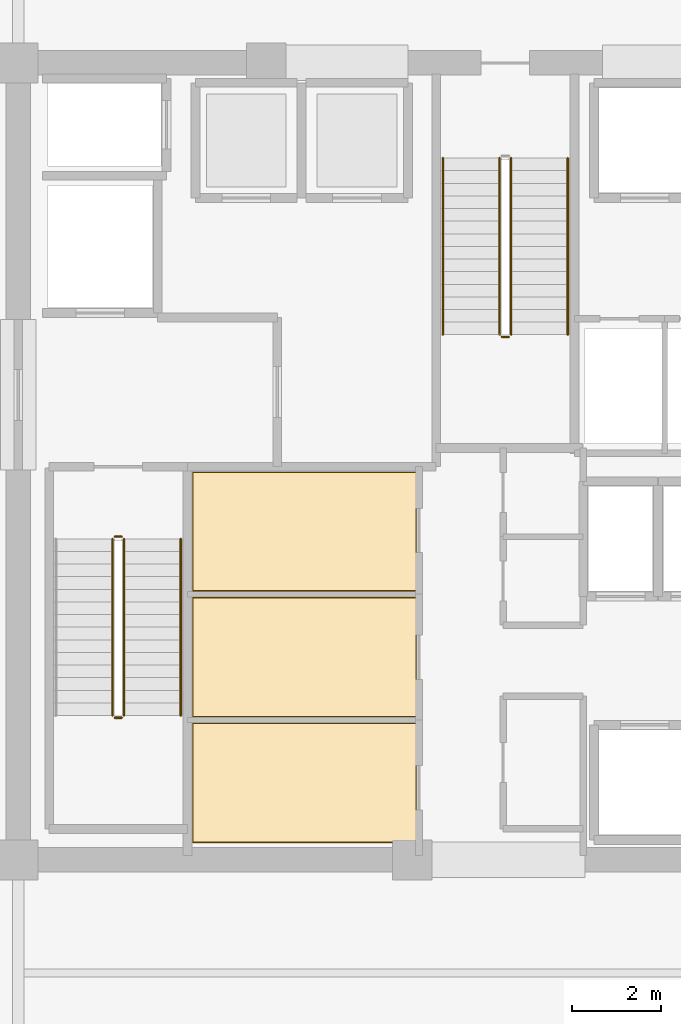
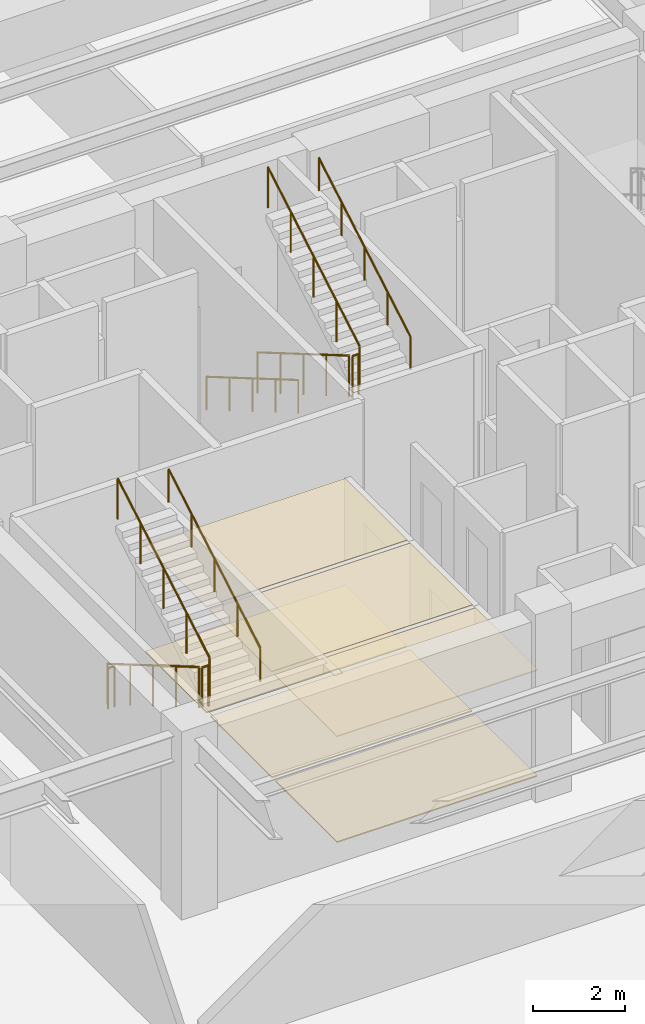
# One storey, part 21 of 25: 10 railings, 6 coverings.
"""IFC4 building model written with IfcOpenShell, lengths in metres."""

import ifcopenshell
import ifcopenshell.guid

model = None  # the IFC model being written
_history = None  # IfcOwnerHistory: only IFC2X3 demands one
_inside = {}  # id of a spatial element -> (the spatial element, [elements in it])
_under = {}  # id of a project, library or spatial element -> (it, [spatial elements below it])
_declared = {}  # id of a project -> (the project, [libraries it declares])
_typed = {}  # id of a type object -> (the type object, [elements of that type])
_made_of = {}  # id of a material, layer set ... -> (it, [elements and type objects made of it])


def new_model(schema):
    """Start an empty IFC model of exactly this schema.

    Asked for "IFC4X3", IfcOpenShell would pick the latest addendum, in which some entities
    have other attributes; the version numbers below select the first issue.
    IFC2X3 requires an IfcOwnerHistory on every rooted entity: one is made here for all.
    """
    global model, _history
    if schema == "IFC4X3":
        model = ifcopenshell.file(schema_version=(4, 3, 0, 0))
    else:
        model = ifcopenshell.file(schema=schema)
    _inside.clear()
    _under.clear()
    _declared.clear()
    _typed.clear()
    _made_of.clear()
    _history = None
    if model.schema == "IFC2X3":
        org = make("IfcOrganization", Name="unknown")
        user = make(
            "IfcPersonAndOrganization",
            ThePerson=make("IfcPerson", FamilyName="unknown"),
            TheOrganization=org,
        )
        app = make(
            "IfcApplication",
            ApplicationDeveloper=org,
            Version="unknown",
            ApplicationFullName="unknown",
            ApplicationIdentifier="unknown",
        )
        _history = make(
            "IfcOwnerHistory",
            OwningUser=user,
            OwningApplication=app,
            ChangeAction="ADDED",
            CreationDate=0,
        )
    return model


def make(cls, **values):
    """One entity of the class cls with the attributes given. An attribute that is None is left unset."""
    return model.create_entity(
        cls, **{name: value for name, value in values.items() if value is not None}
    )


def rooted(cls, **values):
    """An entity with a GlobalId (a new one), such as an element, a storey or a relation."""
    return make(cls, GlobalId=ifcopenshell.guid.new(), OwnerHistory=_history, **values)


def si_unit(unit_type, name, prefix=None):
    """IfcSIUnit, for example si_unit("LENGTHUNIT", "METRE", prefix="MILLI")."""
    return make("IfcSIUnit", UnitType=unit_type, Prefix=prefix, Name=name)


def assignment(units):
    """IfcUnitAssignment: the units of a project."""
    return None if units is None else make("IfcUnitAssignment", Units=units)


def point(xyz):
    """IfcCartesianPoint."""
    return None if xyz is None else make("IfcCartesianPoint", Coordinates=xyz)


def direction(xyz):
    """IfcDirection."""
    return None if xyz is None else make("IfcDirection", DirectionRatios=xyz)


def frame(location, z_axis=None, x_axis=None):
    """IfcAxis2Placement3D, a coordinate frame: its origin and axes. An axis left out is left unset."""
    return make(
        "IfcAxis2Placement3D",
        Location=point(location),
        Axis=direction(z_axis),
        RefDirection=direction(x_axis),
    )


def frame_2d(location, x_axis=None):
    """IfcAxis2Placement2D, a coordinate frame in the plane: its origin and x axis."""
    return make(
        "IfcAxis2Placement2D", Location=point(location), RefDirection=direction(x_axis)
    )


def origin():
    """The frame at (0, 0, 0) with its axes left unset."""
    return frame((0.0, 0.0, 0.0))


def origin_2d():
    """The frame at (0, 0) in the plane with its x axis left unset."""
    return frame_2d((0.0, 0.0))


def place(relative_to, where):
    """IfcLocalPlacement: puts the frame where relative to a parent placement (None: the world)."""
    return make(
        "IfcLocalPlacement", PlacementRelTo=relative_to, RelativePlacement=where
    )


def context(
    kind, dimensions, precision=None, world=None, true_north=None, identifier=None
):
    """IfcGeometricRepresentationContext, for example the 3D "Model" context."""
    return make(
        "IfcGeometricRepresentationContext",
        ContextIdentifier=identifier,
        ContextType=kind,
        CoordinateSpaceDimension=dimensions,
        Precision=precision,
        WorldCoordinateSystem=world,
        TrueNorth=true_north,
    )


def subcontext(parent, identifier, kind, view, scale=None):
    """IfcGeometricRepresentationSubContext, for example "Body" below "Model"."""
    return make(
        "IfcGeometricRepresentationSubContext",
        ContextIdentifier=identifier,
        ContextType=kind,
        ParentContext=parent,
        TargetScale=scale,
        TargetView=view,
    )


def project(units=None, contexts=None):
    """IfcProject with its units and contexts."""
    return rooted(
        "IfcProject",
        Name="project",
        RepresentationContexts=contexts,
        UnitsInContext=assignment(units),
    )


def spatial(cls, under=None, at=None, **own):
    """A site, building, storey or space (cls), placed at a placement, below another one or the project."""
    s = rooted(cls, ObjectPlacement=at, **own)
    if under is not None:
        _under.setdefault(under.id(), (under, []))[1].append(s)
    return s


def polyline(points):
    """IfcPolyline through the points."""
    return make("IfcPolyline", Points=[point(p) for p in points])


def profile(cls, at=None, kind="AREA", **sizes):
    """A parametric profile (cls). Its sizes go by their IFC names, for example OverallWidth=200.0."""
    return make(cls, ProfileType=kind, Position=at, **sizes)


def circle(**sizes):
    """IfcCircleProfileDef."""
    return profile("IfcCircleProfileDef", **sizes)


def outline(outer, holes=None, kind="AREA"):
    """IfcArbitraryClosedProfileDef: a profile drawn as a closed curve; with holes, ...WithVoids."""
    if holes is None:
        return make("IfcArbitraryClosedProfileDef", ProfileType=kind, OuterCurve=outer)
    return make(
        "IfcArbitraryProfileDefWithVoids",
        ProfileType=kind,
        OuterCurve=outer,
        InnerCurves=holes,
    )


def extrude(swept, where, along, depth):
    """IfcExtrudedAreaSolid: the profile swept, set in the frame where, extruded along a direction by depth."""
    return make(
        "IfcExtrudedAreaSolid",
        SweptArea=swept,
        Position=where,
        ExtrudedDirection=direction(along),
        Depth=depth,
    )


def shape(context_of_items, identifier, shape_type, items):
    """IfcShapeRepresentation: the items that make up one representation, for example the "Body"."""
    return make(
        "IfcShapeRepresentation",
        ContextOfItems=context_of_items,
        RepresentationIdentifier=identifier,
        RepresentationType=shape_type,
        Items=items,
    )


def material(Name=None, Category=None):
    """IfcMaterial."""
    return make("IfcMaterial", Name=Name, Category=Category)


def layer(
    of_material, thickness, ventilated=None, Name=None, Category=None, Priority=None
):
    """IfcMaterialLayer: one layer of a wall or slab, of a material (None: an air gap)."""
    return make(
        "IfcMaterialLayer",
        Material=of_material,
        LayerThickness=thickness,
        IsVentilated=ventilated,
        Name=Name,
        Category=Category,
        Priority=Priority,
    )


def layer_set(layers, Name=None):
    """IfcMaterialLayerSet."""
    return make("IfcMaterialLayerSet", MaterialLayers=layers, LayerSetName=Name)


def made_of(thing, what):
    """Note that an element or type object is made of a material, layer set ...; save() writes the relation."""
    if what is not None:
        _made_of.setdefault(what.id(), (what, []))[1].append(thing)
    return thing


def type_object(cls, material=None, **own):
    """A type object (cls), such as IfcWallType, which elements share."""
    return made_of(rooted(cls, **own), material)


def element(
    cls,
    number,
    at=None,
    inside=None,
    cuts=None,
    type_object=None,
    material=None,
    context=None,
    identifier="Body",
    shape_type=None,
    held_by="IfcProductDefinitionShape",
    body=None,
    shapes=None,
    **own,
):
    """One element of the class cls, such as IfcWall. Its Tag is "e" and its number.

    at: its placement. inside: the storey or other place that contains it. cuts: it is an
    opening in that element (IfcRelVoidsElement). A single representation is given by context,
    identifier, shape_type and body (its items); several are given by shapes. held_by: the class
    of the entity that holds the representations. save() writes the other relations.
    """
    e = rooted(cls, Tag="e%d" % number, ObjectPlacement=at, **own)
    if body is not None:
        shapes = [shape(context, identifier, shape_type, body)]
    if shapes is not None:
        e.Representation = make(held_by, Representations=shapes)
    if inside is not None:
        _inside.setdefault(inside.id(), (inside, []))[1].append(e)
    if cuts is not None:
        rooted(
            "IfcRelVoidsElement", RelatingBuildingElement=cuts, RelatedOpeningElement=e
        )
    if type_object is not None:
        _typed.setdefault(type_object.id(), (type_object, []))[1].append(e)
    return made_of(e, material)


def aggregate(whole, parts):
    """IfcRelAggregates: a whole, such as a stair, and the parts it consists of."""
    return rooted("IfcRelAggregates", RelatingObject=whole, RelatedObjects=parts)


def save(model, path):
    """Write the relations noted so far, then the file.

    IfcRelAggregates (storeys below a building ...), IfcRelContainedInSpatialStructure (elements
    in a storey), IfcRelDefinesByType, IfcRelAssociatesMaterial and IfcRelDeclares: one each for
    every whole, place, type object, material and project.
    """
    for whole, parts in _under.values():
        aggregate(whole, parts)
    for where, things in _inside.values():
        rooted(
            "IfcRelContainedInSpatialStructure",
            RelatedElements=things,
            RelatingStructure=where,
        )
    for kind, things in _typed.values():
        rooted("IfcRelDefinesByType", RelatedObjects=things, RelatingType=kind)
    for what, things in _made_of.values():
        rooted("IfcRelAssociatesMaterial", RelatedObjects=things, RelatingMaterial=what)
    for by, libraries in _declared.values():
        rooted("IfcRelDeclares", RelatingContext=by, RelatedDefinitions=libraries)
    model.write(path)


model = new_model("IFC4")

# Units and contexts
model_context = context("Model", 3, precision=1e-05, world=origin(), true_north=direction((0.0, 1.0)))
body_context = subcontext(model_context, "Body", "Model", "MODEL_VIEW")
ifc_project = project(units=[si_unit("LENGTHUNIT", "METRE"), si_unit("AREAUNIT", "SQUARE_METRE"), si_unit("VOLUMEUNIT", "CUBIC_METRE"), si_unit("PLANEANGLEUNIT", "RADIAN"), si_unit("MASSUNIT", "GRAM", prefix="KILO")], contexts=[model_context])

# Site, building, storey
site_placement = place(None, origin())
site = spatial("IfcSite", under=ifc_project, at=site_placement, CompositionType="ELEMENT")
building_placement = place(site_placement, origin())
building = spatial("IfcBuilding", under=site, at=building_placement, Name="Kovane Verandah Tower", CompositionType="ELEMENT")
storey_placement = place(building_placement, frame((0.0, 0.0, 233.199951171875)))
storey = spatial("IfcBuildingStorey", under=building, at=storey_placement, Name="L54", CompositionType="ELEMENT", Elevation=233.199951171875)

# Coverings
ifc_material_1 = material(Name="Perforated Acoustic Mineral-Fibre Ceiling Tile", Category="gypsum")
ifc_layer_1 = layer(ifc_material_1, 0.02490234375)
ifc_layer_set_1 = layer_set([ifc_layer_1], Name="Perforated Acoustic Mineral-Fibre Ceiling Tile")
covering_type_1 = type_object("IfcCoveringType", Name="CV-CEIL-25", PredefinedType="CEILING", material=ifc_layer_set_1)
covering_1_placement = place(storey_placement, frame((0.0, 0.0, 2.824951171875)))
element("IfcCovering", 1, at=covering_1_placement, inside=storey, type_object=covering_type_1, Name="L54 Project Archive Room Acoustic Ceiling", PredefinedType="CEILING", context=body_context, shape_type="SweptSolid", body=[
    extrude(outline(polyline([(32.93505859375, 18.885009765625), (37.9951171875, 18.885009765625), (37.9951171875, 21.594970703125), (32.93505859375, 21.594970703125), (32.93505859375, 18.885009765625)])), origin(), (0.0, 0.0, 1.0), 0.025146484375),
])
covering_2_placement = place(storey_placement, frame((0.0, 0.0, 2.824951171875)))
element("IfcCovering", 2, at=covering_2_placement, inside=storey, type_object=covering_type_1, Name="L54 First Aid and Wellness Room Acoustic Ceiling", PredefinedType="CEILING", context=body_context, shape_type="SweptSolid", body=[
    extrude(outline(polyline([(32.93505859375, 21.72509765625), (37.9951171875, 21.72509765625), (37.9951171875, 24.43505859375), (32.93505859375, 24.43505859375), (32.93505859375, 21.72509765625)])), origin(), (0.0, 0.0, 1.0), 0.025146484375),
])
covering_3_placement = place(storey_placement, frame((0.0, 0.0, 2.824951171875)))
element("IfcCovering", 3, at=covering_3_placement, inside=storey, type_object=covering_type_1, Name="L54 Tea and Copy Hub Acoustic Ceiling", PredefinedType="CEILING", context=body_context, shape_type="SweptSolid", body=[
    extrude(outline(polyline([(32.93505859375, 24.56494140625), (37.9951171875, 24.56494140625), (37.9951171875, 27.264892578125), (32.93505859375, 27.264892578125), (32.93505859375, 24.56494140625)])), origin(), (0.0, 0.0, 1.0), 0.025146484375),
])
ifc_material_2 = material(Name="Polished Terrazzo and Raised-Access Carpet Tile Finish", Category="concrete")
ifc_layer_2 = layer(ifc_material_2, 0.030029296875)
ifc_layer_set_2 = layer_set([ifc_layer_2], Name="Polished Terrazzo and Raised-Access Carpet Tile Finish")
covering_type_2 = type_object("IfcCoveringType", Name="CV-FLOR-30", PredefinedType="FLOORING", material=ifc_layer_set_2)
covering_4_placement = place(storey_placement, origin())
element("IfcCovering", 4, at=covering_4_placement, inside=storey, type_object=covering_type_2, Name="L54 Project Archive Room Floor Finish", PredefinedType="FLOORING", context=body_context, shape_type="SweptSolid", body=[
    extrude(outline(polyline([(32.949951171875, 18.89990234375), (37.97998046875, 18.89990234375), (37.97998046875, 21.580078125), (32.949951171875, 21.580078125), (32.949951171875, 18.89990234375)])), origin(), (0.0, 0.0, 1.0), 0.030029296875),
])
covering_5_placement = place(storey_placement, origin())
element("IfcCovering", 5, at=covering_5_placement, inside=storey, type_object=covering_type_2, Name="L54 First Aid and Wellness Room Floor Finish", PredefinedType="FLOORING", context=body_context, shape_type="SweptSolid", body=[
    extrude(outline(polyline([(32.949951171875, 21.739990234375), (37.97998046875, 21.739990234375), (37.97998046875, 24.419921875), (32.949951171875, 24.419921875), (32.949951171875, 21.739990234375)])), origin(), (0.0, 0.0, 1.0), 0.030029296875),
])
covering_6_placement = place(storey_placement, origin())
element("IfcCovering", 6, at=covering_6_placement, inside=storey, type_object=covering_type_2, Name="L54 Tea and Copy Hub Floor Finish", PredefinedType="FLOORING", context=body_context, shape_type="SweptSolid", body=[
    extrude(outline(polyline([(32.949951171875, 24.580078125), (37.97998046875, 24.580078125), (37.97998046875, 27.25), (32.949951171875, 27.25), (32.949951171875, 24.580078125)])), origin(), (0.0, 0.0, 1.0), 0.030029296875),
])

# Railings
ifc_material_3 = material(Name="Brushed Stainless Steel Handrail", Category="steel")
railing_type_1 = type_object("IfcRailingType", Name="RL-HAND-920", PredefinedType="HANDRAIL", material=ifc_material_3)
railing_1_placement = place(storey_placement, frame((32.669921875, 21.760009765625, 2.666748046875)))
element("IfcRailing", 7, at=railing_1_placement, inside=storey, type_object=railing_type_1, Name="L54 ST-01 stair handrail 2", PredefinedType="HANDRAIL", context=body_context, shape_type="SweptSolid", body=[
    extrude(circle(Radius=0.02392578125, at=origin_2d()), frame((0.0, 0.0, 0.8759765625), z_axis=(0.0, 0.863236243904, 0.504800145811), x_axis=(-1.0, 0.0, 0.0)), (0.0, 0.0, 1.0), 4.6220703125),
    extrude(circle(Radius=0.02099609375, at=origin_2d()), origin(), (0.0, 0.0, 1.0), 0.851806640625),
    extrude(circle(Radius=0.02099609375, at=origin_2d()), frame((0.0, 0.99755859375, 0.583251953125)), (0.0, 0.0, 1.0), 0.851806640625),
    extrude(circle(Radius=0.02099609375, at=origin_2d()), frame((0.0, 1.9951171875, 1.16650390625)), (0.0, 0.0, 1.0), 0.851806640625),
    extrude(circle(Radius=0.02099609375, at=origin_2d()), frame((0.0, 2.992431640625, 1.75)), (0.0, 0.0, 1.0), 0.851806640625),
    extrude(circle(Radius=0.02099609375, at=origin_2d()), frame((0.0, 3.989990234375, 2.333251953125)), (0.0, 0.0, 1.0), 0.851806640625),
])
railing_2_placement = place(storey_placement, frame((38.590087890625, 34.35009765625, 0.166748046875)))
element("IfcRailing", 8, at=railing_2_placement, inside=storey, type_object=railing_type_1, Name="L54 ST-03 stair handrail 1", PredefinedType="HANDRAIL", context=body_context, shape_type="SweptSolid", body=[
    extrude(circle(Radius=0.02392578125, at=origin_2d()), frame((0.0, 0.0, 0.8759765625), z_axis=(0.0, -0.863236243904, 0.504800145811), x_axis=(1.0, 0.0, 0.0)), (0.0, 0.0, 1.0), 4.6220703125),
    extrude(circle(Radius=0.02099609375, at=origin_2d()), origin(), (0.0, 0.0, 1.0), 0.851806640625),
    extrude(circle(Radius=0.02099609375, at=origin_2d()), frame((0.0, -0.99755859375, 0.583251953125)), (0.0, 0.0, 1.0), 0.851806640625),
    extrude(circle(Radius=0.02099609375, at=origin_2d()), frame((0.0, -1.9951171875, 1.16650390625)), (0.0, 0.0, 1.0), 0.851806640625),
    extrude(circle(Radius=0.02099609375, at=origin_2d()), frame((0.0, -2.992431640625, 1.75)), (0.0, 0.0, 1.0), 0.851806640625),
    extrude(circle(Radius=0.02099609375, at=origin_2d()), frame((0.0, -3.989990234375, 2.333251953125)), (0.0, 0.0, 1.0), 0.851806640625),
])
railing_3_placement = place(storey_placement, frame((41.409912109375, 30.360107421875, 2.666748046875)))
element("IfcRailing", 9, at=railing_3_placement, inside=storey, type_object=railing_type_1, Name="L54 ST-03 stair handrail 2", PredefinedType="HANDRAIL", context=body_context, shape_type="SweptSolid", body=[
    extrude(circle(Radius=0.02392578125, at=origin_2d()), frame((0.0, 0.0, 0.8759765625), z_axis=(0.0, 0.863236243904, 0.504800145811), x_axis=(-1.0, 0.0, 0.0)), (0.0, 0.0, 1.0), 4.6220703125),
    extrude(circle(Radius=0.02099609375, at=origin_2d()), origin(), (0.0, 0.0, 1.0), 0.851806640625),
    extrude(circle(Radius=0.02099609375, at=origin_2d()), frame((0.0, 0.99755859375, 0.583251953125)), (0.0, 0.0, 1.0), 0.851806640625),
    extrude(circle(Radius=0.02099609375, at=origin_2d()), frame((0.0, 1.9951171875, 1.16650390625)), (0.0, 0.0, 1.0), 0.851806640625),
    extrude(circle(Radius=0.02099609375, at=origin_2d()), frame((0.0, 2.992431640625, 1.75)), (0.0, 0.0, 1.0), 0.851806640625),
    extrude(circle(Radius=0.02099609375, at=origin_2d()), frame((0.0, 3.989990234375, 2.333251953125)), (0.0, 0.0, 1.0), 0.851806640625),
])
ifc_material_4 = material(Name="Painted Steel Stairwell Guardrail", Category="steel")
railing_type_2 = type_object("IfcRailingType", Name="RL-STGUARD-1120", PredefinedType="GUARDRAIL", material=ifc_material_4)
railing_4_placement = place(storey_placement, frame((31.1298828125, 25.75, 0.166748046875)))
element("IfcRailing", 10, at=railing_4_placement, inside=storey, type_object=railing_type_2, Name="L54 ST-01 stair guard 1", PredefinedType="GUARDRAIL", context=body_context, shape_type="SweptSolid", body=[
    extrude(circle(Radius=0.02392578125, at=origin_2d()), frame((0.0, 0.0, 1.076171875), z_axis=(0.0, -0.863236243904, 0.504800145811), x_axis=(1.0, 0.0, 0.0)), (0.0, 0.0, 1.0), 4.6220703125),
    extrude(circle(Radius=0.02099609375, at=origin_2d()), origin(), (0.0, 0.0, 1.0), 1.052001953125),
    extrude(circle(Radius=0.02099609375, at=origin_2d()), frame((0.0, -0.99755859375, 0.583251953125)), (0.0, 0.0, 1.0), 1.052001953125),
    extrude(circle(Radius=0.02099609375, at=origin_2d()), frame((0.0, -1.9951171875, 1.16650390625)), (0.0, 0.0, 1.0), 1.052001953125),
    extrude(circle(Radius=0.02099609375, at=origin_2d()), frame((0.0, -2.992431640625, 1.75)), (0.0, 0.0, 1.0), 1.052001953125),
    extrude(circle(Radius=0.02099609375, at=origin_2d()), frame((0.0, -3.989990234375, 2.333251953125)), (0.0, 0.0, 1.0), 1.052001953125),
])
railing_5_placement = place(storey_placement, frame((31.179931640625, 21.7099609375, 2.5)))
element("IfcRailing", 11, at=railing_5_placement, inside=storey, type_object=railing_type_2, Name="L54 ST-01 stair guard 2", PredefinedType="GUARDRAIL", context=body_context, shape_type="SweptSolid", body=[
    extrude(circle(Radius=0.02392578125, at=origin_2d()), frame((0.0, 0.0, 1.076171875), z_axis=(1.0, 0.0, 0.0), x_axis=(0.0, 1.0, 0.0)), (0.0, 0.0, 1.0), 0.16015625),
    extrude(circle(Radius=0.02099609375, at=origin_2d()), origin(), (0.0, 0.0, 1.0), 1.052001953125),
    extrude(circle(Radius=0.02099609375, at=origin_2d()), frame((0.16015625, 0.0, 0.0)), (0.0, 0.0, 1.0), 1.052001953125),
])
railing_6_placement = place(storey_placement, frame((31.389892578125, 21.760009765625, 2.666748046875)))
element("IfcRailing", 12, at=railing_6_placement, inside=storey, type_object=railing_type_2, Name="L54 ST-01 stair guard 3", PredefinedType="GUARDRAIL", context=body_context, shape_type="SweptSolid", body=[
    extrude(circle(Radius=0.02392578125, at=origin_2d()), frame((0.0, 0.0, 1.076171875), z_axis=(0.0, 0.863236243904, 0.504800145811), x_axis=(-1.0, 0.0, 0.0)), (0.0, 0.0, 1.0), 4.6220703125),
    extrude(circle(Radius=0.02099609375, at=origin_2d()), origin(), (0.0, 0.0, 1.0), 1.052001953125),
    extrude(circle(Radius=0.02099609375, at=origin_2d()), frame((0.0, 0.99755859375, 0.583251953125)), (0.0, 0.0, 1.0), 1.052001953125),
    extrude(circle(Radius=0.02099609375, at=origin_2d()), frame((0.0, 1.9951171875, 1.16650390625)), (0.0, 0.0, 1.0), 1.052001953125),
    extrude(circle(Radius=0.02099609375, at=origin_2d()), frame((0.0, 2.992431640625, 1.75)), (0.0, 0.0, 1.0), 1.052001953125),
    extrude(circle(Radius=0.02099609375, at=origin_2d()), frame((0.0, 3.989990234375, 2.333251953125)), (0.0, 0.0, 1.0), 1.052001953125),
])
railing_7_placement = place(storey_placement, frame((31.179931640625, 25.800048828125, 0.0)))
element("IfcRailing", 13, at=railing_7_placement, inside=storey, type_object=railing_type_2, Name="L54 ST-01 stair guard 4", PredefinedType="GUARDRAIL", context=body_context, shape_type="SweptSolid", body=[
    extrude(circle(Radius=0.02392578125, at=origin_2d()), frame((0.0, 0.0, 1.076171875), z_axis=(1.0, 0.0, 0.0), x_axis=(0.0, 1.0, 0.0)), (0.0, 0.0, 1.0), 0.16015625),
    extrude(circle(Radius=0.02099609375, at=origin_2d()), origin(), (0.0, 0.0, 1.0), 1.052001953125),
    extrude(circle(Radius=0.02099609375, at=origin_2d()), frame((0.16015625, 0.0, 0.0)), (0.0, 0.0, 1.0), 1.052001953125),
])
railing_8_placement = place(storey_placement, frame((39.8701171875, 34.35009765625, 0.166748046875)))
element("IfcRailing", 14, at=railing_8_placement, inside=storey, type_object=railing_type_2, Name="L54 ST-03 stair guard 1", PredefinedType="GUARDRAIL", context=body_context, shape_type="SweptSolid", body=[
    extrude(circle(Radius=0.02392578125, at=origin_2d()), frame((0.0, 0.0, 1.076171875), z_axis=(0.0, -0.863236243904, 0.504800145811), x_axis=(1.0, 0.0, 0.0)), (0.0, 0.0, 1.0), 4.6220703125),
    extrude(circle(Radius=0.02099609375, at=origin_2d()), origin(), (0.0, 0.0, 1.0), 1.052001953125),
    extrude(circle(Radius=0.02099609375, at=origin_2d()), frame((0.0, -0.99755859375, 0.583251953125)), (0.0, 0.0, 1.0), 1.052001953125),
    extrude(circle(Radius=0.02099609375, at=origin_2d()), frame((0.0, -1.9951171875, 1.16650390625)), (0.0, 0.0, 1.0), 1.052001953125),
    extrude(circle(Radius=0.02099609375, at=origin_2d()), frame((0.0, -2.992431640625, 1.75)), (0.0, 0.0, 1.0), 1.052001953125),
    extrude(circle(Radius=0.02099609375, at=origin_2d()), frame((0.0, -3.989990234375, 2.333251953125)), (0.0, 0.0, 1.0), 1.052001953125),
])
railing_9_placement = place(storey_placement, frame((39.919921875, 30.31005859375, 2.5)))
element("IfcRailing", 15, at=railing_9_placement, inside=storey, type_object=railing_type_2, Name="L54 ST-03 stair guard 2", PredefinedType="GUARDRAIL", context=body_context, shape_type="SweptSolid", body=[
    extrude(circle(Radius=0.02392578125, at=origin_2d()), frame((0.0, 0.0, 1.076171875), z_axis=(1.0, 0.0, 0.0), x_axis=(0.0, 1.0, 0.0)), (0.0, 0.0, 1.0), 0.16015625),
    extrude(circle(Radius=0.02099609375, at=origin_2d()), origin(), (0.0, 0.0, 1.0), 1.052001953125),
    extrude(circle(Radius=0.02099609375, at=origin_2d()), frame((0.16015625, 0.0, 0.0)), (0.0, 0.0, 1.0), 1.052001953125),
])
railing_10_placement = place(storey_placement, frame((40.1298828125, 30.360107421875, 2.666748046875)))
element("IfcRailing", 16, at=railing_10_placement, inside=storey, type_object=railing_type_2, Name="L54 ST-03 stair guard 3", PredefinedType="GUARDRAIL", context=body_context, shape_type="SweptSolid", body=[
    extrude(circle(Radius=0.02392578125, at=origin_2d()), frame((0.0, 0.0, 1.076171875), z_axis=(0.0, 0.863236243904, 0.504800145811), x_axis=(-1.0, 0.0, 0.0)), (0.0, 0.0, 1.0), 4.6220703125),
    extrude(circle(Radius=0.02099609375, at=origin_2d()), origin(), (0.0, 0.0, 1.0), 1.052001953125),
    extrude(circle(Radius=0.02099609375, at=origin_2d()), frame((0.0, 0.99755859375, 0.583251953125)), (0.0, 0.0, 1.0), 1.052001953125),
    extrude(circle(Radius=0.02099609375, at=origin_2d()), frame((0.0, 1.9951171875, 1.16650390625)), (0.0, 0.0, 1.0), 1.052001953125),
    extrude(circle(Radius=0.02099609375, at=origin_2d()), frame((0.0, 2.992431640625, 1.75)), (0.0, 0.0, 1.0), 1.052001953125),
    extrude(circle(Radius=0.02099609375, at=origin_2d()), frame((0.0, 3.989990234375, 2.333251953125)), (0.0, 0.0, 1.0), 1.052001953125),
])

save(model, "model.ifc")
